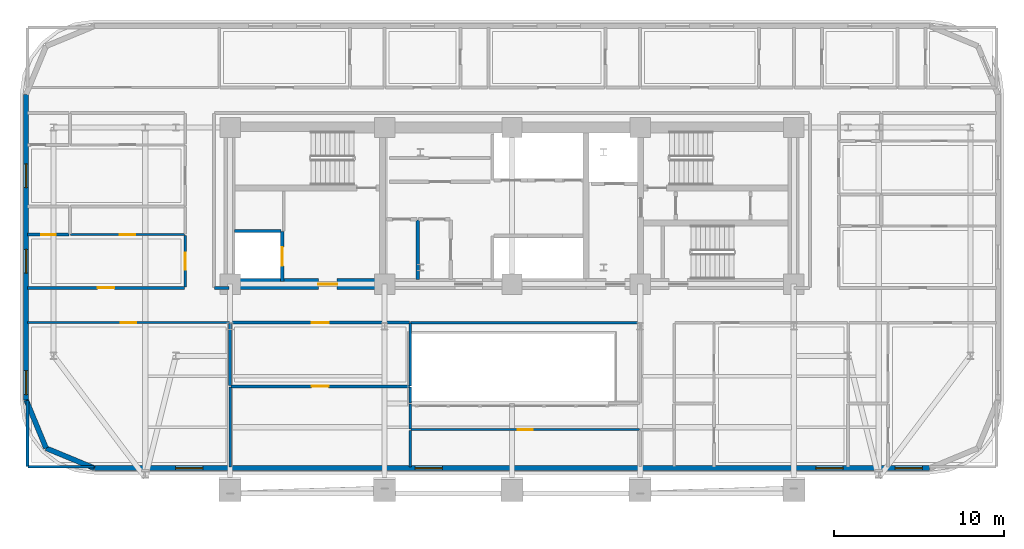
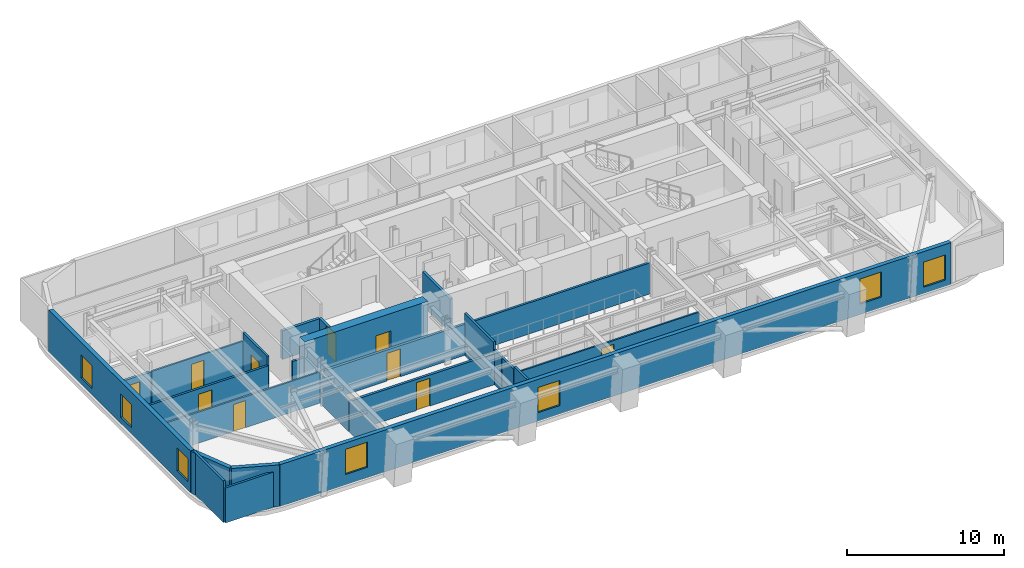
# One storey, part 7 of 15: 26 walls, 10 doors, 7 windows, 17 openings.
"""IFC4 building model written with IfcOpenShell, lengths in metres."""

from ifc_helpers import new_model, si_unit, direction, frame, frame_2d, origin, place, context, subcontext, project, spatial, rectangle, extrude, material, layer, layer_set, type_object, element, fill, save


model = new_model("IFC4")

# Units and contexts
model_context = context("Model", 3, precision=1e-05, world=origin(), true_north=direction((0.0, 1.0)))
body_context = subcontext(model_context, "Body", "Model", "MODEL_VIEW")
ifc_project = project(units=[si_unit("LENGTHUNIT", "METRE"), si_unit("AREAUNIT", "SQUARE_METRE"), si_unit("VOLUMEUNIT", "CUBIC_METRE"), si_unit("PLANEANGLEUNIT", "RADIAN"), si_unit("MASSUNIT", "GRAM", prefix="KILO")], contexts=[model_context])

# Site, building, storey
site_placement = place(None, origin())
site = spatial("IfcSite", under=ifc_project, at=site_placement, CompositionType="ELEMENT")
building_placement = place(site_placement, origin())
building = spatial("IfcBuilding", under=site, at=building_placement, Name="Zarnavel Station Tower", CompositionType="ELEMENT")
storey_placement = place(building_placement, frame((0.0, 0.0, 115.300048828125)))
storey = spatial("IfcBuildingStorey", under=building, at=storey_placement, Name="L31", CompositionType="ELEMENT", Elevation=115.300048828125)

# Wall, opening, door
ifc_material_1 = material(Name="Concrete C60/75", Category="concrete")
ifc_layer_1 = layer(ifc_material_1, 0.64990234375)
ifc_layer_set_1 = layer_set([ifc_layer_1], Name="CW_650")
wall_type_1 = type_object("IfcWallType", Name="CW_650", PredefinedType="SHEAR", material=ifc_layer_set_1)
wall_1_placement = place(storey_placement, frame((21.179931640625, 27.820068359375, 0.0), z_axis=(0.0, 0.0, 1.0), x_axis=(-1.0, 0.0, 0.0)))
wall_1 = element("IfcWall", 1, at=wall_1_placement, inside=storey, type_object=wall_type_1, Name="L31 Rear Core Shear Wall S-W", PredefinedType="SHEAR", context=body_context, shape_type="SweptSolid", body=[
    extrude(rectangle(XDim=9.030029296875, YDim=0.64990234375, at=frame_2d((4.51513671875, 0.0))), origin(), (0.0, 0.0, 1.0), 3.5),
])
opening_1_placement = place(wall_1_placement, frame((2.679931640625, 0.0, 0.0)))
opening_1 = element("IfcOpeningElement", 2, at=opening_1_placement, cuts=wall_1, Name="Opening FD01", PredefinedType="OPENING", context=body_context, shape_type="SweptSolid", body=[
    extrude(rectangle(XDim=1.10009765625, YDim=2.14990234375, at=frame_2d((0.550048828125, 1.074951171875))), frame((0.0, 0.3349609375, 0.0), z_axis=(0.0, -1.0, 0.0), x_axis=(1.0, 0.0, 0.0)), (0.0, 0.0, 1.0), 0.669921875),
])
ifc_material_2 = material(Name="Painted Galvanised Steel and Hardwood Leaf", Category="steel")
door_type_1 = type_object("IfcDoorType", Name="ID_STAIR_1100", OperationType="NOTDEFINED", PredefinedType="DOOR", material=ifc_material_2)
door_1_placement = place(opening_1_placement, origin())
door_1 = element("IfcDoor", 3, at=door_1_placement, inside=storey, type_object=door_type_1, Name="L31 West Firefighting Lobby Door", OperationType="SINGLE_SWING_RIGHT", OverallHeight=2.14990234375, OverallWidth=1.10009765625, PredefinedType="DOOR", context=body_context, shape_type="SweptSolid", body=[
    extrude(rectangle(XDim=1.10009765625, YDim=2.14990234375, at=frame_2d((0.550048828125, 1.074951171875))), frame((0.0, 0.02490234375, 0.0), z_axis=(0.0, -1.0, 0.0), x_axis=(1.0, 0.0, 0.0)), (0.0, 0.0, 1.0), 0.050048828125),
])
fill(opening_1, door_1)

# Wall, openings, windows
ifc_material_3 = material(Name="Precast concrete C45/55 (Dark Basalt Finish)", Category="masonry")
ifc_layer_2 = layer(ifc_material_3, 0.300048828125)
ifc_layer_set_2 = layer_set([ifc_layer_2], Name="EW_BASALT_300")
wall_type_2 = type_object("IfcWallType", Name="EW_BASALT_300", PredefinedType="SOLIDWALL", material=ifc_layer_set_2)
wall_2_placement = place(storey_placement, frame((0.179931640625, 21.0, 0.0), z_axis=(0.0, 0.0, 1.0), x_axis=(0.0, 1.0, 0.0)))
wall_2 = element("IfcWall", 4, at=wall_2_placement, inside=storey, type_object=wall_type_2, Name="L31 Exterior Basalt Masonry Frame Wall 09", PredefinedType="SOLIDWALL", context=body_context, shape_type="SweptSolid", body=[
    extrude(rectangle(XDim=18.0, YDim=0.300048828125, at=frame_2d((9.0, 0.0))), origin(), (0.0, 0.0, 1.0), 3.239990234375),
])
opening_2_placement = place(wall_2_placement, frame((7.470458984375, 0.0, 0.47998046875)))
opening_2 = element("IfcOpeningElement", 5, at=opening_2_placement, cuts=wall_2, Name="Opening WN01", PredefinedType="OPENING", context=body_context, shape_type="SweptSolid", body=[
    extrude(rectangle(XDim=1.39990234375, YDim=1.800048828125, at=frame_2d((0.699951171875, 0.89990234375))), frame((0.0, 0.159912109375, 0.0), z_axis=(0.0, -1.0, 0.0), x_axis=(1.0, 0.0, 0.0)), (0.0, 0.0, 1.0), 0.320068359375),
])
opening_3_placement = place(wall_2_placement, frame((12.509033203125, 0.0, 0.47998046875)))
opening_3 = element("IfcOpeningElement", 6, at=opening_3_placement, cuts=wall_2, Name="Opening WN01", PredefinedType="OPENING", context=body_context, shape_type="SweptSolid", body=[
    extrude(rectangle(XDim=1.39990234375, YDim=1.800048828125, at=frame_2d((0.699951171875, 0.89990234375))), frame((0.0, 0.159912109375, 0.0), z_axis=(0.0, -1.0, 0.0), x_axis=(1.0, 0.0, 0.0)), (0.0, 0.0, 1.0), 0.320068359375),
])
opening_4_placement = place(wall_2_placement, frame((0.320068359375, 0.0, 0.64990234375)))
opening_4 = element("IfcOpeningElement", 7, at=opening_4_placement, cuts=wall_2, Name="Opening WN01", PredefinedType="OPENING", context=body_context, shape_type="SweptSolid", body=[
    extrude(rectangle(XDim=1.39990234375, YDim=1.800048828125, at=frame_2d((0.699951171875, 0.89990234375))), frame((0.0, 0.159912109375, 0.0), z_axis=(0.0, -1.0, 0.0), x_axis=(1.0, 0.0, 0.0)), (0.0, 0.0, 1.0), 0.320068359375),
])
ifc_material_4 = material(Name="Thermally Broken Black Aluminium and Low-E Dark Glass", Category="aluminium")
window_type_1 = type_object("IfcWindowType", Name="WN_1400x1800", PartitioningType="DOUBLE_PANEL_VERTICAL", PredefinedType="WINDOW", material=ifc_material_4)
window_1_placement = place(opening_2_placement, origin())
window_1 = element("IfcWindow", 8, at=window_1_placement, inside=storey, type_object=window_type_1, Name="L31 Recessed Facade Window 01", OverallHeight=1.800048828125, OverallWidth=1.39990234375, PartitioningType="SINGLE_PANEL", PredefinedType="WINDOW", context=body_context, shape_type="SweptSolid", body=[
    extrude(rectangle(XDim=1.39990234375, YDim=1.800048828125, at=frame_2d((0.699951171875, 0.89990234375))), frame((0.0, 0.030029296875, 0.0), z_axis=(0.0, -1.0, 0.0), x_axis=(1.0, 0.0, 0.0)), (0.0, 0.0, 1.0), 0.06005859375),
])
fill(opening_2, window_1)
window_2_placement = place(opening_3_placement, origin())
window_2 = element("IfcWindow", 9, at=window_2_placement, inside=storey, type_object=window_type_1, Name="L31 Recessed Facade Window 02", OverallHeight=1.800048828125, OverallWidth=1.39990234375, PartitioningType="SINGLE_PANEL", PredefinedType="WINDOW", context=body_context, shape_type="SweptSolid", body=[
    extrude(rectangle(XDim=1.39990234375, YDim=1.800048828125, at=frame_2d((0.699951171875, 0.89990234375))), frame((0.0, 0.030029296875, 0.0), z_axis=(0.0, -1.0, 0.0), x_axis=(1.0, 0.0, 0.0)), (0.0, 0.0, 1.0), 0.06005859375),
])
fill(opening_3, window_2)
window_3_placement = place(opening_4_placement, origin())
window_3 = element("IfcWindow", 10, at=window_3_placement, inside=storey, type_object=window_type_1, Name="L31 Recessed Facade Window 03", OverallHeight=1.800048828125, OverallWidth=1.39990234375, PartitioningType="SINGLE_PANEL", PredefinedType="WINDOW", context=body_context, shape_type="SweptSolid", body=[
    extrude(rectangle(XDim=1.39990234375, YDim=1.800048828125, at=frame_2d((0.699951171875, 0.89990234375))), frame((0.0, 0.030029296875, 0.0), z_axis=(0.0, -1.0, 0.0), x_axis=(1.0, 0.0, 0.0)), (0.0, 0.0, 1.0), 0.06005859375),
])
fill(opening_4, window_3)

# Walls
for number, where, z_axis, x_axis, name in (
    (11, (1.357421875, 18.157470703125, 0.0), (0.0, 0.0, 1.0), (-0.382704529509, 0.923870793506, 0.0), "L31 Exterior Basalt Masonry Frame Wall 10"),
    (12, (4.199951171875, 16.97998046875, 0.0), (0.0, 0.0, 1.0), (-0.923870793506, 0.382704529509, 0.0), "L31 Exterior Basalt Masonry Frame Wall 11"),
):
    element("IfcWall", number, at=place(storey_placement, frame(where, z_axis=z_axis, x_axis=x_axis)), inside=storey, type_object=wall_type_2, Name=name, PredefinedType="SOLIDWALL", context=body_context, shape_type="SweptSolid", body=[
        extrude(rectangle(XDim=3.07666015625, YDim=0.300048828125, at=frame_2d((1.538330078125, 0.0))), origin(), (0.0, 0.0, 1.0), 3.239990234375),
    ])

# Wall, openings, windows
wall_3_placement = place(storey_placement, frame((53.39990234375, 16.97998046875, 0.0), z_axis=(0.0, 0.0, 1.0), x_axis=(-1.0, 0.0, 0.0)))
wall_3 = element("IfcWall", 13, at=wall_3_placement, inside=storey, type_object=wall_type_2, Name="L31 Exterior Basalt Masonry Frame Wall 12", PredefinedType="SOLIDWALL", context=body_context, shape_type="SweptSolid", body=[
    extrude(rectangle(XDim=49.199951171875, YDim=0.300048828125, at=frame_2d((24.60009765625, 0.0))), origin(), (0.0, 0.0, 1.0), 3.239990234375),
])
opening_5_placement = place(wall_3_placement, frame((42.810546875, 0.0, 0.800048828125)))
opening_5 = element("IfcOpeningElement", 14, at=opening_5_placement, cuts=wall_3, Name="Opening WN06", PredefinedType="OPENING", context=body_context, shape_type="SweptSolid", body=[
    extrude(rectangle(XDim=1.60009765625, YDim=1.949951171875, at=frame_2d((0.800048828125, 0.97509765625))), frame((0.0, 0.159912109375, 0.0), z_axis=(0.0, -1.0, 0.0), x_axis=(1.0, 0.0, 0.0)), (0.0, 0.0, 1.0), 0.320068359375),
])
opening_6_placement = place(wall_3_placement, frame((28.699951171875, 0.0, 0.64990234375)))
opening_6 = element("IfcOpeningElement", 15, at=opening_6_placement, cuts=wall_3, Name="Opening WN06", PredefinedType="OPENING", context=body_context, shape_type="SweptSolid", body=[
    extrude(rectangle(XDim=1.60009765625, YDim=1.949951171875, at=frame_2d((0.800048828125, 0.97509765625))), frame((0.0, 0.159912109375, 0.0), z_axis=(0.0, -1.0, 0.0), x_axis=(1.0, 0.0, 0.0)), (0.0, 0.0, 1.0), 0.320068359375),
])
opening_7_placement = place(wall_3_placement, frame((5.10009765625, 0.0, 0.800048828125)))
opening_7 = element("IfcOpeningElement", 16, at=opening_7_placement, cuts=wall_3, Name="Opening WN06", PredefinedType="OPENING", context=body_context, shape_type="SweptSolid", body=[
    extrude(rectangle(XDim=1.60009765625, YDim=1.949951171875, at=frame_2d((0.800048828125, 0.97509765625))), frame((0.0, 0.159912109375, 0.0), z_axis=(0.0, -1.0, 0.0), x_axis=(1.0, 0.0, 0.0)), (0.0, 0.0, 1.0), 0.320068359375),
])
opening_8_placement = place(wall_3_placement, frame((0.43505859375, 0.0, 0.47998046875)))
opening_8 = element("IfcOpeningElement", 17, at=opening_8_placement, cuts=wall_3, Name="Opening WN06", PredefinedType="OPENING", context=body_context, shape_type="SweptSolid", body=[
    extrude(rectangle(XDim=1.60009765625, YDim=1.949951171875, at=frame_2d((0.800048828125, 0.97509765625))), frame((0.0, 0.159912109375, 0.0), z_axis=(0.0, -1.0, 0.0), x_axis=(1.0, 0.0, 0.0)), (0.0, 0.0, 1.0), 0.320068359375),
])
ifc_material_5 = material(Name="Thermally Broken Black Aluminium and Low-E Dark Glass", Category="aluminium")
window_type_2 = type_object("IfcWindowType", Name="WN_1600x1950", PartitioningType="DOUBLE_PANEL_VERTICAL", PredefinedType="WINDOW", material=ifc_material_5)
window_4_placement = place(opening_5_placement, origin())
window_4 = element("IfcWindow", 18, at=window_4_placement, inside=storey, type_object=window_type_2, Name="L31 Recessed Facade Window 01", OverallHeight=1.949951171875, OverallWidth=1.60009765625, PartitioningType="SINGLE_PANEL", PredefinedType="WINDOW", context=body_context, shape_type="SweptSolid", body=[
    extrude(rectangle(XDim=1.60009765625, YDim=1.949951171875, at=frame_2d((0.800048828125, 0.97509765625))), frame((0.0, 0.030029296875, 0.0), z_axis=(0.0, -1.0, 0.0), x_axis=(1.0, 0.0, 0.0)), (0.0, 0.0, 1.0), 0.06005859375),
])
fill(opening_5, window_4)
window_5_placement = place(opening_6_placement, origin())
window_5 = element("IfcWindow", 19, at=window_5_placement, inside=storey, type_object=window_type_2, Name="L31 Recessed Facade Window 02", OverallHeight=1.949951171875, OverallWidth=1.60009765625, PartitioningType="SINGLE_PANEL", PredefinedType="WINDOW", context=body_context, shape_type="SweptSolid", body=[
    extrude(rectangle(XDim=1.60009765625, YDim=1.949951171875, at=frame_2d((0.800048828125, 0.97509765625))), frame((0.0, 0.030029296875, 0.0), z_axis=(0.0, -1.0, 0.0), x_axis=(1.0, 0.0, 0.0)), (0.0, 0.0, 1.0), 0.06005859375),
])
fill(opening_6, window_5)
window_6_placement = place(opening_7_placement, origin())
window_6 = element("IfcWindow", 20, at=window_6_placement, inside=storey, type_object=window_type_2, Name="L31 Recessed Facade Window 03", OverallHeight=1.949951171875, OverallWidth=1.60009765625, PartitioningType="SINGLE_PANEL", PredefinedType="WINDOW", context=body_context, shape_type="SweptSolid", body=[
    extrude(rectangle(XDim=1.60009765625, YDim=1.949951171875, at=frame_2d((0.800048828125, 0.97509765625))), frame((0.0, 0.030029296875, 0.0), z_axis=(0.0, -1.0, 0.0), x_axis=(1.0, 0.0, 0.0)), (0.0, 0.0, 1.0), 0.06005859375),
])
fill(opening_7, window_6)
window_7_placement = place(opening_8_placement, origin())
window_7 = element("IfcWindow", 21, at=window_7_placement, inside=storey, type_object=window_type_2, Name="L31 Recessed Facade Window 04", OverallHeight=1.949951171875, OverallWidth=1.60009765625, PartitioningType="SINGLE_PANEL", PredefinedType="WINDOW", context=body_context, shape_type="SweptSolid", body=[
    extrude(rectangle(XDim=1.60009765625, YDim=1.949951171875, at=frame_2d((0.800048828125, 0.97509765625))), frame((0.0, 0.030029296875, 0.0), z_axis=(0.0, -1.0, 0.0), x_axis=(1.0, 0.0, 0.0)), (0.0, 0.0, 1.0), 0.06005859375),
])
fill(opening_8, window_7)

# Wall, opening, door
ifc_material_6 = material(Name="Gypsum Twin-Stud Acoustic Fire Partition", Category="concrete")
ifc_layer_3 = layer(ifc_material_6, 0.159912109375)
ifc_layer_set_3 = layer_set([ifc_layer_3], Name="PT_DEMISE_160")
wall_type_3 = type_object("IfcWallType", Name="PT_DEMISE_160", PredefinedType="PARTITIONING", material=ifc_layer_set_3)
wall_4_placement = place(storey_placement, frame((0.260009765625, 27.60009765625, 0.0), z_axis=(0.0, 0.0, 1.0), x_axis=(1.0, 0.0, 0.0)))
wall_4 = element("IfcWall", 22, at=wall_4_placement, inside=storey, type_object=wall_type_3, Name="L31 Partition COR-S-FNW1R", PredefinedType="PARTITIONING", context=body_context, shape_type="SweptSolid", body=[
    extrude(rectangle(XDim=9.25, YDim=0.159912109375, at=frame_2d((4.625, 0.0))), origin(), (0.0, 0.0, 1.0), 2.570068359375),
])
opening_9_placement = place(wall_4_placement, frame((4.125, 0.0, 0.0)))
opening_9 = element("IfcOpeningElement", 23, at=opening_9_placement, cuts=wall_4, Name="Opening FD02", PredefinedType="OPENING", context=body_context, shape_type="SweptSolid", body=[
    extrude(rectangle(XDim=1.0, YDim=2.14990234375, at=frame_2d((0.5, 1.074951171875))), frame((0.0, 0.08984375, 0.0), z_axis=(0.0, -1.0, 0.0), x_axis=(1.0, 0.0, 0.0)), (0.0, 0.0, 1.0), 0.179931640625),
])
ifc_material_7 = material(Name="Painted Galvanised Steel and Hardwood Leaf", Category="steel")
door_type_2 = type_object("IfcDoorType", Name="ID_ENTRY_1000", OperationType="NOTDEFINED", PredefinedType="DOOR", material=ifc_material_7)
door_2_placement = place(opening_9_placement, origin())
door_2 = element("IfcDoor", 24, at=door_2_placement, inside=storey, type_object=door_type_2, Name="L31 Door COR-S-FNW1R", OperationType="SINGLE_SWING_RIGHT", OverallHeight=2.14990234375, OverallWidth=1.0, PredefinedType="DOOR", context=body_context, shape_type="SweptSolid", body=[
    extrude(rectangle(XDim=1.0, YDim=2.14990234375, at=frame_2d((0.5, 1.074951171875))), frame((0.0, 0.02490234375, 0.0), z_axis=(0.0, -1.0, 0.0), x_axis=(1.0, 0.0, 0.0)), (0.0, 0.0, 1.0), 0.050048828125),
])
fill(opening_9, door_2)

wall_5_placement = place(storey_placement, frame((9.550048828125, 27.639892578125, 0.0), z_axis=(0.0, 0.0, 1.0), x_axis=(0.0, 1.0, 0.0)))
wall_5 = element("IfcWall", 25, at=wall_5_placement, inside=storey, type_object=wall_type_3, Name="L31 Partition COR-W-FNW1R", PredefinedType="PARTITIONING", context=body_context, shape_type="SweptSolid", body=[
    extrude(rectangle(XDim=3.06103515625, YDim=0.159912109375, at=frame_2d((1.530517578125, 0.0))), origin(), (0.0, 0.0, 1.0), 3.239990234375),
])
opening_10_placement = place(wall_5_placement, frame((1.030517578125, 0.0, 0.0)))
opening_10 = element("IfcOpeningElement", 26, at=opening_10_placement, cuts=wall_5, Name="Opening FD02", PredefinedType="OPENING", context=body_context, shape_type="SweptSolid", body=[
    extrude(rectangle(XDim=1.0, YDim=2.14990234375, at=frame_2d((0.5, 1.074951171875))), frame((0.0, 0.08984375, 0.0), z_axis=(0.0, -1.0, 0.0), x_axis=(1.0, 0.0, 0.0)), (0.0, 0.0, 1.0), 0.179931640625),
])
door_3_placement = place(opening_10_placement, origin())
door_3 = element("IfcDoor", 27, at=door_3_placement, inside=storey, type_object=door_type_2, Name="L31 Door COR-W-FNW1R", OperationType="SINGLE_SWING_RIGHT", OverallHeight=2.14990234375, OverallWidth=1.0, PredefinedType="DOOR", context=body_context, shape_type="SweptSolid", body=[
    extrude(rectangle(XDim=1.0, YDim=2.14990234375, at=frame_2d((0.5, 1.074951171875))), frame((0.0, 0.02490234375, 0.0), z_axis=(0.0, -1.0, 0.0), x_axis=(1.0, 0.0, 0.0)), (0.0, 0.0, 1.0), 0.050048828125),
])
fill(opening_10, door_3)

# Walls
wall_6_placement = place(storey_placement, frame((22.800048828125, 19.2900390625, 0.0), z_axis=(0.0, 0.0, 1.0), x_axis=(0.0, 1.0, 0.0)))
element("IfcWall", 28, at=wall_6_placement, inside=storey, type_object=wall_type_3, Name="L31 Partition COR-AS-Z2STR", PredefinedType="PARTITIONING", context=body_context, shape_type="SweptSolid", body=[
    extrude(rectangle(XDim=1.469970703125, YDim=0.159912109375, at=frame_2d((0.73486328125, 0.0))), origin(), (0.0, 0.0, 1.0), 2.679931640625),
])
wall_7_placement = place(storey_placement, frame((12.199951171875, 17.06005859375, 0.0), z_axis=(0.0, 0.0, 1.0), x_axis=(0.0, 1.0, 0.0)))
element("IfcWall", 29, at=wall_7_placement, inside=storey, type_object=wall_type_3, Name="L31 Partition Z2CLB-Z2STR", PredefinedType="PARTITIONING", context=body_context, shape_type="SweptSolid", body=[
    extrude(rectangle(XDim=4.699951171875, YDim=0.159912109375, at=frame_2d((2.35009765625, 0.0))), origin(), (0.0, 0.0, 1.0), 2.406005859375),
])
wall_8_placement = place(storey_placement, frame((22.800048828125, 17.06005859375, 0.0), z_axis=(0.0, 0.0, 1.0), x_axis=(0.0, 1.0, 0.0)))
element("IfcWall", 30, at=wall_8_placement, inside=storey, type_object=wall_type_3, Name="L31 Partition Z2STR-Z2LIB", PredefinedType="PARTITIONING", context=body_context, shape_type="SweptSolid", body=[
    extrude(rectangle(XDim=2.14990234375, YDim=0.159912109375, at=frame_2d((1.074951171875, 0.0))), origin(), (0.0, 0.0, 1.0), 2.919921875),
])
wall_9_placement = place(storey_placement, frame((22.830078125, 25.550048828125, 0.0), z_axis=(0.0, 0.0, 1.0), x_axis=(1.0, 0.0, 0.0)))
element("IfcWall", 31, at=wall_9_placement, inside=storey, type_object=wall_type_3, Name="L31 Enclosure Wall COR-S", PredefinedType="PARTITIONING", context=body_context, shape_type="SweptSolid", body=[
    extrude(rectangle(XDim=13.489990234375, YDim=0.159912109375, at=frame_2d((6.7451171875, 0.0))), origin(), (0.0, 0.0, 1.0), 2.406005859375),
])
wall_10_placement = place(storey_placement, frame((11.280029296875, 27.60009765625, 0.0), z_axis=(0.0, 0.0, 1.0), x_axis=(1.0, 0.0, 0.0)))
element("IfcWall", 32, at=wall_10_placement, inside=storey, type_object=wall_type_3, Name="L31 Enclosure Wall COR-S", PredefinedType="PARTITIONING", context=body_context, shape_type="SweptSolid", body=[
    extrude(rectangle(XDim=0.840087890625, YDim=0.159912109375, at=frame_2d((0.419921875, 0.0))), origin(), (0.0, 0.0, 1.0), 2.280029296875),
])
wall_11_placement = place(storey_placement, frame((0.2900390625, 17.06005859375, 0.0), z_axis=(0.0, 0.0, 1.0), x_axis=(1.0, 0.0, 0.0)))
element("IfcWall", 33, at=wall_11_placement, inside=storey, type_object=wall_type_3, Name="L31 Enclosure Wall Z2CLB", PredefinedType="PARTITIONING", context=body_context, shape_type="SweptSolid", body=[
    extrude(rectangle(XDim=3.8798828125, YDim=0.159912109375, at=frame_2d((1.93994140625, 0.0))), origin(), (0.0, 0.0, 1.0), 2.719970703125),
])
wall_12_placement = place(storey_placement, frame((0.260009765625, 17.090087890625, 0.0), z_axis=(0.0, 0.0, 1.0), x_axis=(0.0, 1.0, 0.0)))
element("IfcWall", 34, at=wall_12_placement, inside=storey, type_object=wall_type_3, Name="L31 Enclosure Wall Z2CLB", PredefinedType="PARTITIONING", context=body_context, shape_type="SweptSolid", body=[
    extrude(rectangle(XDim=3.8798828125, YDim=0.159912109375, at=frame_2d((1.93994140625, 0.0))), origin(), (0.0, 0.0, 1.0), 3.239990234375),
])
wall_13_placement = place(storey_placement, frame((22.800048828125, 21.830078125, 0.0), z_axis=(0.0, 0.0, 1.0), x_axis=(0.0, 1.0, 0.0)))
element("IfcWall", 35, at=wall_13_placement, inside=storey, type_object=wall_type_3, Name="L31 Enclosure Wall Z2KIT", PredefinedType="PARTITIONING", context=body_context, shape_type="SweptSolid", body=[
    extrude(rectangle(XDim=3.68994140625, YDim=0.159912109375, at=frame_2d((1.844970703125, 0.0))), origin(), (0.0, 0.0, 1.0), 3.239990234375),
])
wall_14_placement = place(storey_placement, frame((22.800048828125, 20.830078125, 0.0), z_axis=(0.0, 0.0, 1.0), x_axis=(0.0, 1.0, 0.0)))
element("IfcWall", 36, at=wall_14_placement, inside=storey, type_object=wall_type_3, Name="L31 Enclosure Wall Z2STR", PredefinedType="PARTITIONING", context=body_context, shape_type="SweptSolid", body=[
    extrude(rectangle(XDim=0.93994140625, YDim=0.159912109375, at=frame_2d((0.469970703125, 0.0))), origin(), (0.0, 0.0, 1.0), 2.679931640625),
])

# Wall, opening, door
ifc_material_8 = material(Name="Gypsum Metal-Stud Interior Partition", Category="concrete")
ifc_layer_4 = layer(ifc_material_8, 0.1201171875)
ifc_layer_set_4 = layer_set([ifc_layer_4], Name="PT_ROOM_120")
wall_type_4 = type_object("IfcWallType", Name="PT_ROOM_120", PredefinedType="PARTITIONING", material=ifc_layer_set_4)
wall_15_placement = place(storey_placement, frame((0.260009765625, 25.550048828125, 0.0), z_axis=(0.0, 0.0, 1.0), x_axis=(1.0, 0.0, 0.0)))
wall_15 = element("IfcWall", 37, at=wall_15_placement, inside=storey, type_object=wall_type_4, Name="L31 Partition COR-S-Z2CLB", PredefinedType="PARTITIONING", context=body_context, shape_type="SweptSolid", body=[
    extrude(rectangle(XDim=11.89990234375, YDim=0.1201171875, at=frame_2d((5.949951171875, 0.0))), origin(), (0.0, 0.0, 1.0), 2.406005859375),
])
opening_11_placement = place(wall_15_placement, frame((5.5, 0.0, 0.0)))
opening_11 = element("IfcOpeningElement", 38, at=opening_11_placement, cuts=wall_15, Name="Opening ID01", PredefinedType="OPENING", context=body_context, shape_type="SweptSolid", body=[
    extrude(rectangle(XDim=0.89990234375, YDim=2.10009765625, at=frame_2d((0.449951171875, 1.050048828125))), frame((0.0, 0.070068359375, 0.0), z_axis=(0.0, -1.0, 0.0), x_axis=(1.0, 0.0, 0.0)), (0.0, 0.0, 1.0), 0.14013671875),
])
ifc_material_9 = material(Name="Painted Galvanised Steel and Hardwood Leaf", Category="steel")
door_type_3 = type_object("IfcDoorType", Name="ID_ROOM_900", OperationType="NOTDEFINED", PredefinedType="DOOR", material=ifc_material_9)
door_4_placement = place(opening_11_placement, origin())
door_4 = element("IfcDoor", 39, at=door_4_placement, inside=storey, type_object=door_type_3, Name="L31 Door COR-S-Z2CLB", OperationType="SINGLE_SWING_RIGHT", OverallHeight=2.10009765625, OverallWidth=0.89990234375, PredefinedType="DOOR", context=body_context, shape_type="SweptSolid", body=[
    extrude(rectangle(XDim=0.89990234375, YDim=2.10009765625, at=frame_2d((0.449951171875, 1.050048828125))), frame((0.0, 0.02490234375, 0.0), z_axis=(0.0, -1.0, 0.0), x_axis=(1.0, 0.0, 0.0)), (0.0, 0.0, 1.0), 0.050048828125),
])
fill(opening_11, door_4)

wall_16_placement = place(storey_placement, frame((22.840087890625, 19.25, 0.0), z_axis=(0.0, 0.0, 1.0), x_axis=(1.0, 0.0, 0.0)))
wall_16 = element("IfcWall", 40, at=wall_16_placement, inside=storey, type_object=wall_type_4, Name="L31 Partition COR-AS-Z2LIB", PredefinedType="PARTITIONING", context=body_context, shape_type="SweptSolid", body=[
    extrude(rectangle(XDim=13.469970703125, YDim=0.1201171875, at=frame_2d((6.73486328125, 0.0))), origin(), (0.0, 0.0, 1.0), 2.406005859375),
])
opening_12_placement = place(wall_16_placement, frame((6.284912109375, 0.0, 0.0)))
opening_12 = element("IfcOpeningElement", 41, at=opening_12_placement, cuts=wall_16, Name="Opening ID01", PredefinedType="OPENING", context=body_context, shape_type="SweptSolid", body=[
    extrude(rectangle(XDim=0.89990234375, YDim=2.10009765625, at=frame_2d((0.449951171875, 1.050048828125))), frame((0.0, 0.070068359375, 0.0), z_axis=(0.0, -1.0, 0.0), x_axis=(1.0, 0.0, 0.0)), (0.0, 0.0, 1.0), 0.14013671875),
])
door_5_placement = place(opening_12_placement, origin())
door_5 = element("IfcDoor", 42, at=door_5_placement, inside=storey, type_object=door_type_3, Name="L31 Door COR-AS-Z2LIB", OperationType="SINGLE_SWING_LEFT", OverallHeight=2.10009765625, OverallWidth=0.89990234375, PredefinedType="DOOR", context=body_context, shape_type="SweptSolid", body=[
    extrude(rectangle(XDim=0.89990234375, YDim=2.10009765625, at=frame_2d((0.449951171875, 1.050048828125))), frame((0.0, 0.02490234375, 0.0), z_axis=(0.0, -1.0, 0.0), x_axis=(1.0, 0.0, 0.0)), (0.0, 0.0, 1.0), 0.050048828125),
])
fill(opening_12, door_5)

wall_17_placement = place(storey_placement, frame((2.800048828125, 30.740966796875, 0.0), z_axis=(0.0, 0.0, 1.0), x_axis=(1.0, 0.0, 0.0)))
wall_17 = element("IfcWall", 43, at=wall_17_placement, inside=storey, type_object=wall_type_4, Name="L31 Partition FNW1R-FNW1S", PredefinedType="PARTITIONING", context=body_context, shape_type="SweptSolid", body=[
    extrude(rectangle(XDim=6.7099609375, YDim=0.1201171875, at=frame_2d((3.35498046875, 0.0))), origin(), (0.0, 0.0, 1.0), 2.570068359375),
])
opening_13_placement = place(wall_17_placement, frame((2.905029296875, 0.0, 0.0)))
opening_13 = element("IfcOpeningElement", 44, at=opening_13_placement, cuts=wall_17, Name="Opening ID01", PredefinedType="OPENING", context=body_context, shape_type="SweptSolid", body=[
    extrude(rectangle(XDim=0.89990234375, YDim=2.10009765625, at=frame_2d((0.449951171875, 1.050048828125))), frame((0.0, 0.070068359375, 0.0), z_axis=(0.0, -1.0, 0.0), x_axis=(1.0, 0.0, 0.0)), (0.0, 0.0, 1.0), 0.14013671875),
])
door_6_placement = place(opening_13_placement, origin())
door_6 = element("IfcDoor", 45, at=door_6_placement, inside=storey, type_object=door_type_3, Name="L31 Door FNW1R-FNW1S", OperationType="SINGLE_SWING_LEFT", OverallHeight=2.10009765625, OverallWidth=0.89990234375, PredefinedType="DOOR", context=body_context, shape_type="SweptSolid", body=[
    extrude(rectangle(XDim=0.89990234375, YDim=2.10009765625, at=frame_2d((0.449951171875, 1.050048828125))), frame((0.0, 0.02490234375, 0.0), z_axis=(0.0, -1.0, 0.0), x_axis=(1.0, 0.0, 0.0)), (0.0, 0.0, 1.0), 0.050048828125),
])
fill(opening_13, door_6)

ifc_material_10 = material(Name="Precast concrete C45/55 (Fire Shaft Blockwork)", Category="masonry")
ifc_layer_5 = layer(ifc_material_10, 0.199951171875)
ifc_layer_set_5 = layer_set([ifc_layer_5], Name="PT_SHAFT_200")
wall_type_5 = type_object("IfcWallType", Name="PT_SHAFT_200", PredefinedType="PARTITIONING", material=ifc_layer_set_5)
wall_18_placement = place(storey_placement, frame((15.27001953125, 27.969970703125, 0.0), z_axis=(0.0, 0.0, 1.0), x_axis=(0.0, 1.0, 0.0)))
wall_18 = element("IfcWall", 46, at=wall_18_placement, inside=storey, type_object=wall_type_5, Name="L31 Lift FFL-01 Shaft Front Wall", PredefinedType="PARTITIONING", context=body_context, shape_type="SweptSolid", body=[
    extrude(rectangle(XDim=2.9599609375, YDim=0.199951171875, at=frame_2d((1.47998046875, 0.0))), origin(), (0.0, 0.0, 1.0), 2.2119140625),
])
opening_14_placement = place(wall_18_placement, frame((0.929931640625, 0.0, 0.0)))
opening_14 = element("IfcOpeningElement", 47, at=opening_14_placement, cuts=wall_18, Name="Opening LD01", PredefinedType="OPENING", context=body_context, shape_type="SweptSolid", body=[
    extrude(rectangle(XDim=1.10009765625, YDim=2.14990234375, at=frame_2d((0.550048828125, 1.074951171875))), frame((0.0, 0.10986328125, 0.0), z_axis=(0.0, -1.0, 0.0), x_axis=(1.0, 0.0, 0.0)), (0.0, 0.0, 1.0), 0.219970703125),
])
ifc_material_11 = material(Name="Painted Galvanised Steel and Hardwood Leaf", Category="steel")
door_type_4 = type_object("IfcDoorType", Name="LD_FF_1100", OperationType="DOUBLE_DOOR_SLIDING", PredefinedType="DOOR", material=ifc_material_11)
door_7_placement = place(opening_14_placement, origin())
door_7 = element("IfcDoor", 48, at=door_7_placement, inside=storey, type_object=door_type_4, Name="L31 Lift FFL-01 Sliding Landing Door", OperationType="DOUBLE_DOOR_SLIDING", OverallHeight=2.14990234375, OverallWidth=1.10009765625, PredefinedType="DOOR", context=body_context, shape_type="SweptSolid", body=[
    extrude(rectangle(XDim=1.10009765625, YDim=2.14990234375, at=frame_2d((0.550048828125, 1.074951171875))), frame((0.0, 0.02490234375, 0.0), z_axis=(0.0, -1.0, 0.0), x_axis=(1.0, 0.0, 0.0)), (0.0, 0.0, 1.0), 0.050048828125),
])
fill(opening_14, door_7)

# Walls
wall_19_placement = place(storey_placement, frame((12.449951171875, 30.949951171875, 0.0), z_axis=(0.0, 0.0, 1.0), x_axis=(1.0, 0.0, 0.0)))
element("IfcWall", 49, at=wall_19_placement, inside=storey, type_object=wall_type_5, Name="L31 Lift FFL-01 North Shaft Wall", PredefinedType="PARTITIONING", context=body_context, shape_type="SweptSolid", body=[
    extrude(rectangle(XDim=2.75, YDim=0.199951171875, at=frame_2d((1.375, 0.0))), origin(), (0.0, 0.0, 1.0), 2.2119140625),
])
wall_20_placement = place(storey_placement, frame((23.25, 28.090087890625, 0.0), z_axis=(0.0, 0.0, 1.0), x_axis=(0.0, 1.0, 0.0)))
element("IfcWall", 50, at=wall_20_placement, inside=storey, type_object=wall_type_5, Name="L31 Partition CS1-CS2", PredefinedType="PARTITIONING", context=body_context, shape_type="SweptSolid", body=[
    extrude(rectangle(XDim=3.52001953125, YDim=0.199951171875, at=frame_2d((1.760009765625, 0.0))), origin(), (0.0, 0.0, 1.0), 2.619873046875),
])

# Wall, opening, door
ifc_material_12 = material(Name="Moisture-Resistant Plumbing Chase Wall", Category="concrete")
ifc_layer_6 = layer(ifc_material_12, 0.179931640625)
ifc_layer_set_6 = layer_set([ifc_layer_6], Name="PW_PLUMB_180")
wall_type_6 = type_object("IfcWallType", Name="PW_PLUMB_180", PredefinedType="PLUMBINGWALL", material=ifc_layer_set_6)
wall_21_placement = place(storey_placement, frame((12.239990234375, 25.550048828125, 0.0), z_axis=(0.0, 0.0, 1.0), x_axis=(1.0, 0.0, 0.0)))
wall_21 = element("IfcWall", 51, at=wall_21_placement, inside=storey, type_object=wall_type_6, Name="L31 Partition COR-S-Z2KIT", PredefinedType="PLUMBINGWALL", context=body_context, shape_type="SweptSolid", body=[
    extrude(rectangle(XDim=10.52001953125, YDim=0.179931640625, at=frame_2d((5.260009765625, 0.0))), origin(), (0.0, 0.0, 1.0), 2.406005859375),
])
opening_15_placement = place(wall_21_placement, frame((4.760009765625, 0.0, 0.0)))
opening_15 = element("IfcOpeningElement", 52, at=opening_15_placement, cuts=wall_21, Name="Opening FD02", PredefinedType="OPENING", context=body_context, shape_type="SweptSolid", body=[
    extrude(rectangle(XDim=1.0, YDim=2.14990234375, at=frame_2d((0.5, 1.074951171875))), frame((0.0, 0.099853515625, 0.0), z_axis=(0.0, -1.0, 0.0), x_axis=(1.0, 0.0, 0.0)), (0.0, 0.0, 1.0), 0.199951171875),
])
door_8_placement = place(opening_15_placement, origin())
door_8 = element("IfcDoor", 53, at=door_8_placement, inside=storey, type_object=door_type_2, Name="L31 Door COR-S-Z2KIT", OperationType="SINGLE_SWING_LEFT", OverallHeight=2.14990234375, OverallWidth=1.0, PredefinedType="DOOR", context=body_context, shape_type="SweptSolid", body=[
    extrude(rectangle(XDim=1.0, YDim=2.14990234375, at=frame_2d((0.5, 1.074951171875))), frame((0.0, 0.02490234375, 0.0), z_axis=(0.0, -1.0, 0.0), x_axis=(1.0, 0.0, 0.0)), (0.0, 0.0, 1.0), 0.050048828125),
])
fill(opening_15, door_8)

wall_22_placement = place(storey_placement, frame((0.260009765625, 30.740966796875, 0.0), z_axis=(0.0, 0.0, 1.0), x_axis=(1.0, 0.0, 0.0)))
wall_22 = element("IfcWall", 54, at=wall_22_placement, inside=storey, type_object=wall_type_6, Name="L31 Partition FNW1R-FNW1B", PredefinedType="PLUMBINGWALL", context=body_context, shape_type="SweptSolid", body=[
    extrude(rectangle(XDim=2.4599609375, YDim=0.179931640625, at=frame_2d((1.22998046875, 0.0))), origin(), (0.0, 0.0, 1.0), 2.570068359375),
])
opening_16_placement = place(wall_22_placement, frame((0.804931640625, 0.0, 0.0)))
opening_16 = element("IfcOpeningElement", 55, at=opening_16_placement, cuts=wall_22, Name="Opening ID02", PredefinedType="OPENING", context=body_context, shape_type="SweptSolid", body=[
    extrude(rectangle(XDim=0.85009765625, YDim=2.10009765625, at=frame_2d((0.425048828125, 1.050048828125))), frame((0.0, 0.099853515625, 0.0), z_axis=(0.0, -1.0, 0.0), x_axis=(1.0, 0.0, 0.0)), (0.0, 0.0, 1.0), 0.199951171875),
])
ifc_material_13 = material(Name="Painted Galvanised Steel and Hardwood Leaf", Category="steel")
door_type_5 = type_object("IfcDoorType", Name="ID_BATH_850", OperationType="NOTDEFINED", PredefinedType="DOOR", material=ifc_material_13)
door_9_placement = place(opening_16_placement, origin())
door_9 = element("IfcDoor", 56, at=door_9_placement, inside=storey, type_object=door_type_5, Name="L31 Door FNW1R-FNW1B", OperationType="SINGLE_SWING_RIGHT", OverallHeight=2.10009765625, OverallWidth=0.85009765625, PredefinedType="DOOR", context=body_context, shape_type="SweptSolid", body=[
    extrude(rectangle(XDim=0.85009765625, YDim=2.10009765625, at=frame_2d((0.425048828125, 1.050048828125))), frame((0.0, 0.02490234375, 0.0), z_axis=(0.0, -1.0, 0.0), x_axis=(1.0, 0.0, 0.0)), (0.0, 0.0, 1.0), 0.050048828125),
])
fill(opening_16, door_9)

# Wall
wall_23_placement = place(storey_placement, frame((12.199951171875, 21.840087890625, 0.0), z_axis=(0.0, 0.0, 1.0), x_axis=(0.0, 1.0, 0.0)))
element("IfcWall", 57, at=wall_23_placement, inside=storey, type_object=wall_type_6, Name="L31 Partition Z2CLB-Z2KIT", PredefinedType="PLUMBINGWALL", context=body_context, shape_type="SweptSolid", body=[
    extrude(rectangle(XDim=3.669921875, YDim=0.179931640625, at=frame_2d((1.8349609375, 0.0))), origin(), (0.0, 0.0, 1.0), 2.406005859375),
])

# Wall, opening, door
wall_24_placement = place(storey_placement, frame((12.239990234375, 21.800048828125, 0.0), z_axis=(0.0, 0.0, 1.0), x_axis=(1.0, 0.0, 0.0)))
wall_24 = element("IfcWall", 58, at=wall_24_placement, inside=storey, type_object=wall_type_6, Name="L31 Partition Z2KIT-Z2STR", PredefinedType="PLUMBINGWALL", context=body_context, shape_type="SweptSolid", body=[
    extrude(rectangle(XDim=10.52001953125, YDim=0.179931640625, at=frame_2d((5.260009765625, 0.0))), origin(), (0.0, 0.0, 1.0), 2.406005859375),
])
opening_17_placement = place(wall_24_placement, frame((4.760009765625, 0.0, 0.0)))
opening_17 = element("IfcOpeningElement", 59, at=opening_17_placement, cuts=wall_24, Name="Opening FD02", PredefinedType="OPENING", context=body_context, shape_type="SweptSolid", body=[
    extrude(rectangle(XDim=1.0, YDim=2.14990234375, at=frame_2d((0.5, 1.074951171875))), frame((0.0, 0.099853515625, 0.0), z_axis=(0.0, -1.0, 0.0), x_axis=(1.0, 0.0, 0.0)), (0.0, 0.0, 1.0), 0.199951171875),
])
door_10_placement = place(opening_17_placement, origin())
door_10 = element("IfcDoor", 60, at=door_10_placement, inside=storey, type_object=door_type_2, Name="L31 Door Z2KIT-Z2STR", OperationType="SINGLE_SWING_RIGHT", OverallHeight=2.14990234375, OverallWidth=1.0, PredefinedType="DOOR", context=body_context, shape_type="SweptSolid", body=[
    extrude(rectangle(XDim=1.0, YDim=2.14990234375, at=frame_2d((0.5, 1.074951171875))), frame((0.0, 0.02490234375, 0.0), z_axis=(0.0, -1.0, 0.0), x_axis=(1.0, 0.0, 0.0)), (0.0, 0.0, 1.0), 0.050048828125),
])
fill(opening_17, door_10)

save(model, "model.ifc")
